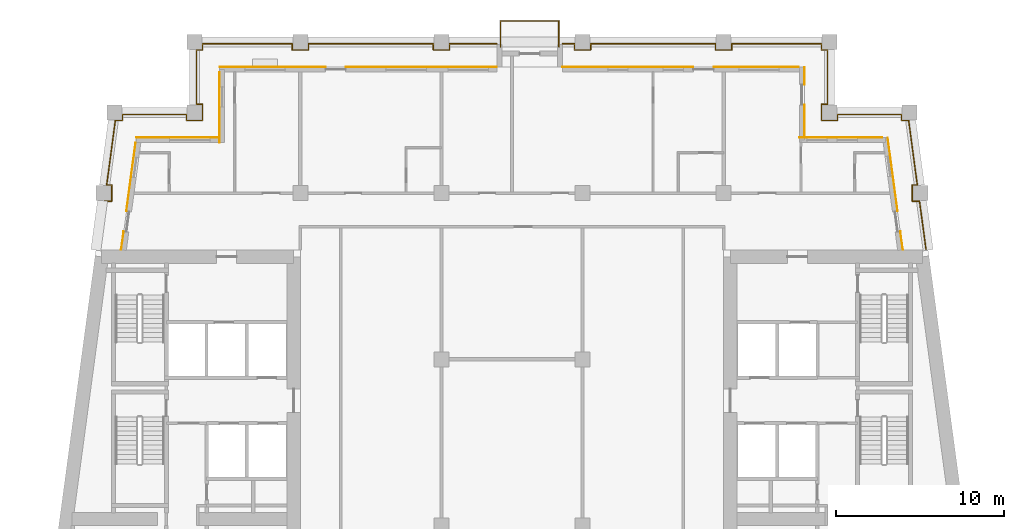
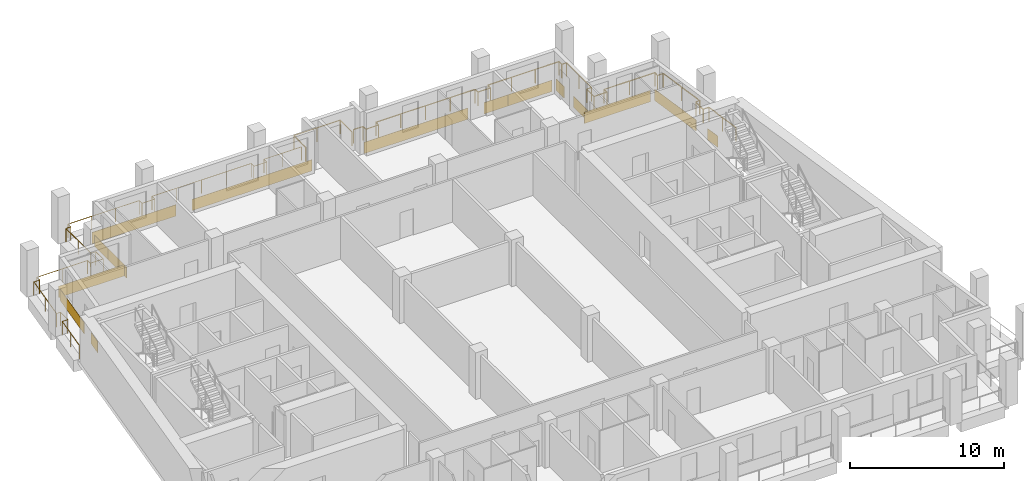
# One storey, part 11 of 12: 15 coverings, 3 railings.
"""IFC4 building model written with IfcOpenShell, lengths in metres."""

from ifc_helpers import new_model, si_unit, direction, frame, origin, origin_2d, place, context, subcontext, project, spatial, rectangle, circle, extrude, material, layer, layer_set, type_object, element, save


model = new_model("IFC4")

# Units and contexts
model_context = context("Model", 3, precision=1e-05, world=origin(), true_north=direction((0.0, 1.0)))
body_context = subcontext(model_context, "Body", "Model", "MODEL_VIEW")
ifc_project = project(units=[si_unit("LENGTHUNIT", "METRE"), si_unit("AREAUNIT", "SQUARE_METRE"), si_unit("VOLUMEUNIT", "CUBIC_METRE"), si_unit("PLANEANGLEUNIT", "RADIAN"), si_unit("MASSUNIT", "GRAM", prefix="KILO")], contexts=[model_context])

# Site, building, storey
site_placement = place(None, origin())
site = spatial("IfcSite", under=ifc_project, at=site_placement, CompositionType="ELEMENT")
building_placement = place(site_placement, origin())
building = spatial("IfcBuilding", under=site, at=building_placement, Name="Candeia Pilgrim Tower and Theatre", CompositionType="ELEMENT")
storey_placement = place(building_placement, frame((0.0, 0.0, 235.5)))
storey = spatial("IfcBuildingStorey", under=building, at=storey_placement, Name="L57", CompositionType="ELEMENT", Elevation=235.5)

# Railings
ifc_material_1 = material(Name="Stainless steel balustrade", Category="steel")
railing_type = type_object("IfcRailingType", Name="G1 loggia guard 1100", PredefinedType="GUARDRAIL", material=ifc_material_1)
railing_1_placement = place(storey_placement, frame((88.758544921875, 132.449951171875, 0.0)))
element("IfcRailing", 1, at=railing_1_placement, inside=storey, type_object=railing_type, Name="Guard L57.2", PredefinedType="GUARDRAIL", context=body_context, shape_type="SweptSolid", body=[
    extrude(circle(Radius=0.02392578125, at=origin_2d()), frame((0.0, 0.0, 1.076171875), z_axis=(0.133450228179, 0.991055516406, 0.0), x_axis=(-0.991055516406, 0.133450228179, 0.0)), (0.0, 0.0, 1.0), 2.89599609375),
    extrude(circle(Radius=0.02392578125, at=origin_2d()), frame((0.386474609375, 2.8701171875, 1.076171875), z_axis=(1.0, 0.0, 0.0), x_axis=(0.0, 1.0, 0.0)), (0.0, 0.0, 1.0), 0.42333984375),
    extrude(circle(Radius=0.02392578125, at=origin_2d()), frame((0.809814453125, 2.8701171875, 1.076171875), z_axis=(0.0, 1.0, 0.0), x_axis=(-1.0, 0.0, 0.0)), (0.0, 0.0, 1.0), 0.9599609375),
    extrude(circle(Radius=0.02392578125, at=origin_2d()), frame((0.809814453125, 3.830078125, 1.076171875), z_axis=(-1.0, 0.0, 0.0), x_axis=(0.0, -1.0, 0.0)), (0.0, 0.0, 1.0), 0.294189453125),
    extrude(circle(Radius=0.02392578125, at=origin_2d()), frame((0.515625, 3.830078125, 1.076171875), z_axis=(0.133389399471, 0.991063705374, 0.0), x_axis=(-0.991063705374, 0.133389399471, 0.0)), (0.0, 0.0, 1.0), 3.874755859375),
    extrude(circle(Radius=0.02392578125, at=origin_2d()), frame((1.032470703125, 7.670166015625, 1.076171875), z_axis=(1.0, 0.0, 0.0), x_axis=(0.0, 1.0, 0.0)), (0.0, 0.0, 1.0), 0.423583984375),
    extrude(circle(Radius=0.02392578125, at=origin_2d()), frame((1.4560546875, 7.670166015625, 1.076171875), z_axis=(0.0, 1.0, 0.0), x_axis=(-1.0, 0.0, 0.0)), (0.0, 0.0, 1.0), 0.35986328125),
    extrude(circle(Radius=0.02392578125, at=origin_2d()), frame((1.4560546875, 8.030029296875, 1.076171875), z_axis=(1.0, 0.0, 0.0), x_axis=(0.0, 1.0, 0.0)), (0.0, 0.0, 1.0), 3.805419921875),
    extrude(circle(Radius=0.02392578125, at=origin_2d()), frame((5.261474609375, 8.030029296875, 1.076171875), z_axis=(0.0, -1.0, 0.0), x_axis=(1.0, 0.0, 0.0)), (0.0, 0.0, 1.0), 0.35986328125),
    extrude(circle(Radius=0.02392578125, at=origin_2d()), frame((5.261474609375, 7.670166015625, 1.076171875), z_axis=(1.0, 0.0, 0.0), x_axis=(0.0, 1.0, 0.0)), (0.0, 0.0, 1.0), 0.9599609375),
    extrude(circle(Radius=0.02392578125, at=origin_2d()), frame((6.221435546875, 7.670166015625, 1.076171875), z_axis=(0.0, 1.0, 0.0), x_axis=(-1.0, 0.0, 0.0)), (0.0, 0.0, 1.0), 0.9599609375),
    extrude(circle(Radius=0.02392578125, at=origin_2d()), frame((6.221435546875, 8.630126953125, 1.076171875), z_axis=(-1.0, 0.0, 0.0), x_axis=(0.0, -1.0, 0.0)), (0.0, 0.0, 1.0), 0.35986328125),
    extrude(circle(Radius=0.02392578125, at=origin_2d()), frame((5.861572265625, 8.630126953125, 1.076171875), z_axis=(0.0, 1.0, 0.0), x_axis=(-1.0, 0.0, 0.0)), (0.0, 0.0, 1.0), 3.239990234375),
    extrude(circle(Radius=0.02392578125, at=origin_2d()), frame((5.861572265625, 11.8701171875, 1.076171875), z_axis=(1.0, 0.0, 0.0), x_axis=(0.0, 1.0, 0.0)), (0.0, 0.0, 1.0), 0.35986328125),
    extrude(circle(Radius=0.02392578125, at=origin_2d()), frame((6.221435546875, 11.8701171875, 1.076171875), z_axis=(0.0, 1.0, 0.0), x_axis=(-1.0, 0.0, 0.0)), (0.0, 0.0, 1.0), 0.35986328125),
    extrude(circle(Radius=0.02392578125, at=origin_2d()), frame((6.221435546875, 12.22998046875, 1.076171875), z_axis=(1.0, 0.0, 0.0), x_axis=(0.0, 1.0, 0.0)), (0.0, 0.0, 1.0), 5.340087890625),
    extrude(circle(Radius=0.02392578125, at=origin_2d()), frame((11.5615234375, 12.22998046875, 1.076171875), z_axis=(0.0, -1.0, 0.0), x_axis=(1.0, 0.0, 0.0)), (0.0, 0.0, 1.0), 0.35986328125),
    extrude(circle(Radius=0.02392578125, at=origin_2d()), frame((11.5615234375, 11.8701171875, 1.076171875), z_axis=(1.0, 0.0, 0.0), x_axis=(0.0, 1.0, 0.0)), (0.0, 0.0, 1.0), 0.9599609375),
    extrude(circle(Radius=0.02392578125, at=origin_2d()), frame((12.521484375, 11.8701171875, 1.076171875), z_axis=(0.0, 1.0, 0.0), x_axis=(-1.0, 0.0, 0.0)), (0.0, 0.0, 1.0), 0.35986328125),
    extrude(circle(Radius=0.02392578125, at=origin_2d()), frame((12.521484375, 12.22998046875, 1.076171875), z_axis=(1.0, 0.0, 0.0), x_axis=(0.0, 1.0, 0.0)), (0.0, 0.0, 1.0), 7.43994140625),
    extrude(circle(Radius=0.02392578125, at=origin_2d()), frame((19.96142578125, 12.22998046875, 1.076171875), z_axis=(0.0, -1.0, 0.0), x_axis=(1.0, 0.0, 0.0)), (0.0, 0.0, 1.0), 0.35986328125),
    extrude(circle(Radius=0.02392578125, at=origin_2d()), frame((19.96142578125, 11.8701171875, 1.076171875), z_axis=(1.0, 0.0, 0.0), x_axis=(0.0, 1.0, 0.0)), (0.0, 0.0, 1.0), 0.9599609375),
    extrude(circle(Radius=0.02392578125, at=origin_2d()), frame((20.92138671875, 11.8701171875, 1.076171875), z_axis=(0.0, 1.0, 0.0), x_axis=(-1.0, 0.0, 0.0)), (0.0, 0.0, 1.0), 0.35986328125),
    extrude(circle(Radius=0.02392578125, at=origin_2d()), frame((20.92138671875, 12.22998046875, 1.076171875), z_axis=(1.0, 0.0, 0.0), x_axis=(0.0, 1.0, 0.0)), (0.0, 0.0, 1.0), 2.820068359375),
    extrude(circle(Radius=0.02099609375, at=origin_2d()), origin(), (0.0, 0.0, 1.0), 1.052001953125),
    extrude(circle(Radius=0.02099609375, at=origin_2d()), frame((0.193359375, 1.43505859375, 0.0)), (0.0, 0.0, 1.0), 1.052001953125),
    extrude(circle(Radius=0.02099609375, at=origin_2d()), frame((0.386474609375, 2.8701171875, 0.0)), (0.0, 0.0, 1.0), 1.052001953125),
    extrude(circle(Radius=0.02099609375, at=origin_2d()), frame((0.809814453125, 2.8701171875, 0.0)), (0.0, 0.0, 1.0), 1.052001953125),
    extrude(circle(Radius=0.02099609375, at=origin_2d()), frame((0.809814453125, 3.830078125, 0.0)), (0.0, 0.0, 1.0), 1.052001953125),
    extrude(circle(Radius=0.02099609375, at=origin_2d()), frame((0.515625, 3.830078125, 0.0)), (0.0, 0.0, 1.0), 1.052001953125),
    extrude(circle(Radius=0.02099609375, at=origin_2d()), frame((0.77392578125, 5.75, 0.0)), (0.0, 0.0, 1.0), 1.052001953125),
    extrude(circle(Radius=0.02099609375, at=origin_2d()), frame((1.032470703125, 7.670166015625, 0.0)), (0.0, 0.0, 1.0), 1.052001953125),
    extrude(circle(Radius=0.02099609375, at=origin_2d()), frame((1.4560546875, 7.670166015625, 0.0)), (0.0, 0.0, 1.0), 1.052001953125),
    extrude(circle(Radius=0.02099609375, at=origin_2d()), frame((1.4560546875, 8.030029296875, 0.0)), (0.0, 0.0, 1.0), 1.052001953125),
    extrude(circle(Radius=0.02099609375, at=origin_2d()), frame((3.35888671875, 8.030029296875, 0.0)), (0.0, 0.0, 1.0), 1.052001953125),
    extrude(circle(Radius=0.02099609375, at=origin_2d()), frame((5.261474609375, 8.030029296875, 0.0)), (0.0, 0.0, 1.0), 1.052001953125),
    extrude(circle(Radius=0.02099609375, at=origin_2d()), frame((5.261474609375, 7.670166015625, 0.0)), (0.0, 0.0, 1.0), 1.052001953125),
    extrude(circle(Radius=0.02099609375, at=origin_2d()), frame((6.221435546875, 7.670166015625, 0.0)), (0.0, 0.0, 1.0), 1.052001953125),
    extrude(circle(Radius=0.02099609375, at=origin_2d()), frame((6.221435546875, 8.630126953125, 0.0)), (0.0, 0.0, 1.0), 1.052001953125),
    extrude(circle(Radius=0.02099609375, at=origin_2d()), frame((5.861572265625, 8.630126953125, 0.0)), (0.0, 0.0, 1.0), 1.052001953125),
    extrude(circle(Radius=0.02099609375, at=origin_2d()), frame((5.861572265625, 10.25, 0.0)), (0.0, 0.0, 1.0), 1.052001953125),
    extrude(circle(Radius=0.02099609375, at=origin_2d()), frame((5.861572265625, 11.8701171875, 0.0)), (0.0, 0.0, 1.0), 1.052001953125),
    extrude(circle(Radius=0.02099609375, at=origin_2d()), frame((6.221435546875, 11.8701171875, 0.0)), (0.0, 0.0, 1.0), 1.052001953125),
    extrude(circle(Radius=0.02099609375, at=origin_2d()), frame((6.221435546875, 12.22998046875, 0.0)), (0.0, 0.0, 1.0), 1.052001953125),
    extrude(circle(Radius=0.02099609375, at=origin_2d()), frame((8.00146484375, 12.22998046875, 0.0)), (0.0, 0.0, 1.0), 1.052001953125),
    extrude(circle(Radius=0.02099609375, at=origin_2d()), frame((9.781494140625, 12.22998046875, 0.0)), (0.0, 0.0, 1.0), 1.052001953125),
    extrude(circle(Radius=0.02099609375, at=origin_2d()), frame((11.5615234375, 12.22998046875, 0.0)), (0.0, 0.0, 1.0), 1.052001953125),
    extrude(circle(Radius=0.02099609375, at=origin_2d()), frame((11.5615234375, 11.8701171875, 0.0)), (0.0, 0.0, 1.0), 1.052001953125),
    extrude(circle(Radius=0.02099609375, at=origin_2d()), frame((12.521484375, 11.8701171875, 0.0)), (0.0, 0.0, 1.0), 1.052001953125),
    extrude(circle(Radius=0.02099609375, at=origin_2d()), frame((12.521484375, 12.22998046875, 0.0)), (0.0, 0.0, 1.0), 1.052001953125),
    extrude(circle(Radius=0.02099609375, at=origin_2d()), frame((14.38134765625, 12.22998046875, 0.0)), (0.0, 0.0, 1.0), 1.052001953125),
    extrude(circle(Radius=0.02099609375, at=origin_2d()), frame((16.241455078125, 12.22998046875, 0.0)), (0.0, 0.0, 1.0), 1.052001953125),
    extrude(circle(Radius=0.02099609375, at=origin_2d()), frame((18.1015625, 12.22998046875, 0.0)), (0.0, 0.0, 1.0), 1.052001953125),
    extrude(circle(Radius=0.02099609375, at=origin_2d()), frame((19.96142578125, 12.22998046875, 0.0)), (0.0, 0.0, 1.0), 1.052001953125),
    extrude(circle(Radius=0.02099609375, at=origin_2d()), frame((19.96142578125, 11.8701171875, 0.0)), (0.0, 0.0, 1.0), 1.052001953125),
    extrude(circle(Radius=0.02099609375, at=origin_2d()), frame((20.92138671875, 11.8701171875, 0.0)), (0.0, 0.0, 1.0), 1.052001953125),
    extrude(circle(Radius=0.02099609375, at=origin_2d()), frame((20.92138671875, 12.22998046875, 0.0)), (0.0, 0.0, 1.0), 1.052001953125),
    extrude(circle(Radius=0.02099609375, at=origin_2d()), frame((22.33154296875, 12.22998046875, 0.0)), (0.0, 0.0, 1.0), 1.052001953125),
    extrude(circle(Radius=0.02099609375, at=origin_2d()), frame((23.741455078125, 12.22998046875, 0.0)), (0.0, 0.0, 1.0), 1.052001953125),
])
railing_2_placement = place(storey_placement, frame((116.39990234375, 144.679931640625, 0.0)))
element("IfcRailing", 2, at=railing_2_placement, inside=storey, type_object=railing_type, Name="Guard L57.3", PredefinedType="GUARDRAIL", context=body_context, shape_type="SweptSolid", body=[
    extrude(circle(Radius=0.02392578125, at=origin_2d()), frame((0.0, 0.0, 1.076171875), z_axis=(1.0, 0.0, 0.0), x_axis=(0.0, 1.0, 0.0)), (0.0, 0.0, 1.0), 0.72021484375),
    extrude(circle(Radius=0.02392578125, at=origin_2d()), frame((0.72021484375, 0.0, 1.076171875), z_axis=(0.0, -1.0, 0.0), x_axis=(1.0, 0.0, 0.0)), (0.0, 0.0, 1.0), 0.35986328125),
    extrude(circle(Radius=0.02392578125, at=origin_2d()), frame((0.72021484375, -0.35986328125, 1.076171875), z_axis=(1.0, 0.0, 0.0), x_axis=(0.0, 1.0, 0.0)), (0.0, 0.0, 1.0), 0.9599609375),
    extrude(circle(Radius=0.02392578125, at=origin_2d()), frame((1.68017578125, -0.35986328125, 1.076171875), z_axis=(0.0, 1.0, 0.0), x_axis=(-1.0, 0.0, 0.0)), (0.0, 0.0, 1.0), 0.35986328125),
    extrude(circle(Radius=0.02392578125, at=origin_2d()), frame((1.68017578125, 0.0, 1.076171875), z_axis=(1.0, 0.0, 0.0), x_axis=(0.0, 1.0, 0.0)), (0.0, 0.0, 1.0), 7.43994140625),
    extrude(circle(Radius=0.02392578125, at=origin_2d()), frame((9.1201171875, 0.0, 1.076171875), z_axis=(0.0, -1.0, 0.0), x_axis=(1.0, 0.0, 0.0)), (0.0, 0.0, 1.0), 0.35986328125),
    extrude(circle(Radius=0.02392578125, at=origin_2d()), frame((9.1201171875, -0.35986328125, 1.076171875), z_axis=(1.0, 0.0, 0.0), x_axis=(0.0, 1.0, 0.0)), (0.0, 0.0, 1.0), 0.9599609375),
    extrude(circle(Radius=0.02392578125, at=origin_2d()), frame((10.080078125, -0.35986328125, 1.076171875), z_axis=(0.0, 1.0, 0.0), x_axis=(-1.0, 0.0, 0.0)), (0.0, 0.0, 1.0), 0.35986328125),
    extrude(circle(Radius=0.02392578125, at=origin_2d()), frame((10.080078125, 0.0, 1.076171875), z_axis=(1.0, 0.0, 0.0), x_axis=(0.0, 1.0, 0.0)), (0.0, 0.0, 1.0), 5.340087890625),
    extrude(circle(Radius=0.02392578125, at=origin_2d()), frame((15.420166015625, 0.0, 1.076171875), z_axis=(0.0, -1.0, 0.0), x_axis=(1.0, 0.0, 0.0)), (0.0, 0.0, 1.0), 0.35986328125),
    extrude(circle(Radius=0.02392578125, at=origin_2d()), frame((15.420166015625, -0.35986328125, 1.076171875), z_axis=(1.0, 0.0, 0.0), x_axis=(0.0, 1.0, 0.0)), (0.0, 0.0, 1.0), 0.35986328125),
    extrude(circle(Radius=0.02392578125, at=origin_2d()), frame((15.780029296875, -0.35986328125, 1.076171875), z_axis=(0.0, -1.0, 0.0), x_axis=(1.0, 0.0, 0.0)), (0.0, 0.0, 1.0), 3.239990234375),
    extrude(circle(Radius=0.02392578125, at=origin_2d()), frame((15.780029296875, -3.599853515625, 1.076171875), z_axis=(-1.0, 0.0, 0.0), x_axis=(0.0, -1.0, 0.0)), (0.0, 0.0, 1.0), 0.35986328125),
    extrude(circle(Radius=0.02392578125, at=origin_2d()), frame((15.420166015625, -3.599853515625, 1.076171875), z_axis=(0.0, -1.0, 0.0), x_axis=(1.0, 0.0, 0.0)), (0.0, 0.0, 1.0), 0.9599609375),
    extrude(circle(Radius=0.02392578125, at=origin_2d()), frame((15.420166015625, -4.559814453125, 1.076171875), z_axis=(1.0, 0.0, 0.0), x_axis=(0.0, 1.0, 0.0)), (0.0, 0.0, 1.0), 0.9599609375),
    extrude(circle(Radius=0.02392578125, at=origin_2d()), frame((16.380126953125, -4.559814453125, 1.076171875), z_axis=(0.0, 1.0, 0.0), x_axis=(-1.0, 0.0, 0.0)), (0.0, 0.0, 1.0), 0.35986328125),
    extrude(circle(Radius=0.02392578125, at=origin_2d()), frame((16.380126953125, -4.199951171875, 1.076171875), z_axis=(1.0, 0.0, 0.0), x_axis=(0.0, 1.0, 0.0)), (0.0, 0.0, 1.0), 3.805419921875),
    extrude(circle(Radius=0.02392578125, at=origin_2d()), frame((20.185546875, -4.199951171875, 1.076171875), z_axis=(0.0, -1.0, 0.0), x_axis=(1.0, 0.0, 0.0)), (0.0, 0.0, 1.0), 0.35986328125),
    extrude(circle(Radius=0.02392578125, at=origin_2d()), frame((20.185546875, -4.559814453125, 1.076171875), z_axis=(1.0, 0.0, 0.0), x_axis=(0.0, 1.0, 0.0)), (0.0, 0.0, 1.0), 0.423583984375),
    extrude(circle(Radius=0.02392578125, at=origin_2d()), frame((20.609130859375, -4.559814453125, 1.076171875), z_axis=(0.133389399471, -0.991063705374, 0.0), x_axis=(0.991063705374, 0.133389399471, 0.0)), (0.0, 0.0, 1.0), 3.874755859375),
    extrude(circle(Radius=0.02392578125, at=origin_2d()), frame((21.1259765625, -8.39990234375, 1.076171875), z_axis=(-1.0, 0.0, 0.0), x_axis=(0.0, -1.0, 0.0)), (0.0, 0.0, 1.0), 0.29443359375),
    extrude(circle(Radius=0.02392578125, at=origin_2d()), frame((20.83154296875, -8.39990234375, 1.076171875), z_axis=(0.0, -1.0, 0.0), x_axis=(1.0, 0.0, 0.0)), (0.0, 0.0, 1.0), 0.9599609375),
    extrude(circle(Radius=0.02392578125, at=origin_2d()), frame((20.83154296875, -9.35986328125, 1.076171875), z_axis=(1.0, 0.0, 0.0), x_axis=(0.0, 1.0, 0.0)), (0.0, 0.0, 1.0), 0.423583984375),
    extrude(circle(Radius=0.02392578125, at=origin_2d()), frame((21.255126953125, -9.35986328125, 1.076171875), z_axis=(0.133450228179, -0.991055516406, 0.0), x_axis=(0.991055516406, 0.133450228179, 0.0)), (0.0, 0.0, 1.0), 2.89599609375),
    extrude(circle(Radius=0.02099609375, at=origin_2d()), origin(), (0.0, 0.0, 1.0), 1.052001953125),
    extrude(circle(Radius=0.02099609375, at=origin_2d()), frame((0.72021484375, 0.0, 0.0)), (0.0, 0.0, 1.0), 1.052001953125),
    extrude(circle(Radius=0.02099609375, at=origin_2d()), frame((0.72021484375, -0.35986328125, 0.0)), (0.0, 0.0, 1.0), 1.052001953125),
    extrude(circle(Radius=0.02099609375, at=origin_2d()), frame((1.68017578125, -0.35986328125, 0.0)), (0.0, 0.0, 1.0), 1.052001953125),
    extrude(circle(Radius=0.02099609375, at=origin_2d()), frame((1.68017578125, 0.0, 0.0)), (0.0, 0.0, 1.0), 1.052001953125),
    extrude(circle(Radius=0.02099609375, at=origin_2d()), frame((3.5400390625, 0.0, 0.0)), (0.0, 0.0, 1.0), 1.052001953125),
    extrude(circle(Radius=0.02099609375, at=origin_2d()), frame((5.400146484375, 0.0, 0.0)), (0.0, 0.0, 1.0), 1.052001953125),
    extrude(circle(Radius=0.02099609375, at=origin_2d()), frame((7.26025390625, 0.0, 0.0)), (0.0, 0.0, 1.0), 1.052001953125),
    extrude(circle(Radius=0.02099609375, at=origin_2d()), frame((9.1201171875, 0.0, 0.0)), (0.0, 0.0, 1.0), 1.052001953125),
    extrude(circle(Radius=0.02099609375, at=origin_2d()), frame((9.1201171875, -0.35986328125, 0.0)), (0.0, 0.0, 1.0), 1.052001953125),
    extrude(circle(Radius=0.02099609375, at=origin_2d()), frame((10.080078125, -0.35986328125, 0.0)), (0.0, 0.0, 1.0), 1.052001953125),
    extrude(circle(Radius=0.02099609375, at=origin_2d()), frame((10.080078125, 0.0, 0.0)), (0.0, 0.0, 1.0), 1.052001953125),
    extrude(circle(Radius=0.02099609375, at=origin_2d()), frame((11.860107421875, 0.0, 0.0)), (0.0, 0.0, 1.0), 1.052001953125),
    extrude(circle(Radius=0.02099609375, at=origin_2d()), frame((13.64013671875, 0.0, 0.0)), (0.0, 0.0, 1.0), 1.052001953125),
    extrude(circle(Radius=0.02099609375, at=origin_2d()), frame((15.420166015625, 0.0, 0.0)), (0.0, 0.0, 1.0), 1.052001953125),
    extrude(circle(Radius=0.02099609375, at=origin_2d()), frame((15.420166015625, -0.35986328125, 0.0)), (0.0, 0.0, 1.0), 1.052001953125),
    extrude(circle(Radius=0.02099609375, at=origin_2d()), frame((15.780029296875, -0.35986328125, 0.0)), (0.0, 0.0, 1.0), 1.052001953125),
    extrude(circle(Radius=0.02099609375, at=origin_2d()), frame((15.780029296875, -1.97998046875, 0.0)), (0.0, 0.0, 1.0), 1.052001953125),
    extrude(circle(Radius=0.02099609375, at=origin_2d()), frame((15.780029296875, -3.599853515625, 0.0)), (0.0, 0.0, 1.0), 1.052001953125),
    extrude(circle(Radius=0.02099609375, at=origin_2d()), frame((15.420166015625, -3.599853515625, 0.0)), (0.0, 0.0, 1.0), 1.052001953125),
    extrude(circle(Radius=0.02099609375, at=origin_2d()), frame((15.420166015625, -4.559814453125, 0.0)), (0.0, 0.0, 1.0), 1.052001953125),
    extrude(circle(Radius=0.02099609375, at=origin_2d()), frame((16.380126953125, -4.559814453125, 0.0)), (0.0, 0.0, 1.0), 1.052001953125),
    extrude(circle(Radius=0.02099609375, at=origin_2d()), frame((16.380126953125, -4.199951171875, 0.0)), (0.0, 0.0, 1.0), 1.052001953125),
    extrude(circle(Radius=0.02099609375, at=origin_2d()), frame((18.28271484375, -4.199951171875, 0.0)), (0.0, 0.0, 1.0), 1.052001953125),
    extrude(circle(Radius=0.02099609375, at=origin_2d()), frame((20.185546875, -4.199951171875, 0.0)), (0.0, 0.0, 1.0), 1.052001953125),
    extrude(circle(Radius=0.02099609375, at=origin_2d()), frame((20.185546875, -4.559814453125, 0.0)), (0.0, 0.0, 1.0), 1.052001953125),
    extrude(circle(Radius=0.02099609375, at=origin_2d()), frame((20.609130859375, -4.559814453125, 0.0)), (0.0, 0.0, 1.0), 1.052001953125),
    extrude(circle(Radius=0.02099609375, at=origin_2d()), frame((20.86767578125, -6.47998046875, 0.0)), (0.0, 0.0, 1.0), 1.052001953125),
    extrude(circle(Radius=0.02099609375, at=origin_2d()), frame((21.1259765625, -8.39990234375, 0.0)), (0.0, 0.0, 1.0), 1.052001953125),
    extrude(circle(Radius=0.02099609375, at=origin_2d()), frame((20.83154296875, -8.39990234375, 0.0)), (0.0, 0.0, 1.0), 1.052001953125),
    extrude(circle(Radius=0.02099609375, at=origin_2d()), frame((20.83154296875, -9.35986328125, 0.0)), (0.0, 0.0, 1.0), 1.052001953125),
    extrude(circle(Radius=0.02099609375, at=origin_2d()), frame((21.255126953125, -9.35986328125, 0.0)), (0.0, 0.0, 1.0), 1.052001953125),
    extrude(circle(Radius=0.02099609375, at=origin_2d()), frame((21.4482421875, -10.794921875, 0.0)), (0.0, 0.0, 1.0), 1.052001953125),
    extrude(circle(Radius=0.02099609375, at=origin_2d()), frame((21.6416015625, -12.22998046875, 0.0)), (0.0, 0.0, 1.0), 1.052001953125),
])
railing_3_placement = place(storey_placement, frame((112.7099609375, 144.5, 0.0)))
element("IfcRailing", 3, at=railing_3_placement, inside=storey, type_object=railing_type, Name="Balcony guard L57", PredefinedType="GUARDRAIL", context=body_context, shape_type="SweptSolid", body=[
    extrude(circle(Radius=0.02392578125, at=origin_2d()), frame((0.0, 0.0, 1.076171875), z_axis=(0.0, 1.0, 0.0), x_axis=(-1.0, 0.0, 0.0)), (0.0, 0.0, 1.0), 1.5400390625),
    extrude(circle(Radius=0.02392578125, at=origin_2d()), frame((0.0, 1.5400390625, 1.076171875), z_axis=(1.0, 0.0, 0.0), x_axis=(0.0, 1.0, 0.0)), (0.0, 0.0, 1.0), 3.47998046875),
    extrude(circle(Radius=0.02392578125, at=origin_2d()), frame((3.47998046875, 1.5400390625, 1.076171875), z_axis=(0.0, -1.0, 0.0), x_axis=(1.0, 0.0, 0.0)), (0.0, 0.0, 1.0), 1.5400390625),
    extrude(circle(Radius=0.02099609375, at=origin_2d()), origin(), (0.0, 0.0, 1.0), 1.052001953125),
    extrude(circle(Radius=0.02099609375, at=origin_2d()), frame((0.0, 1.5400390625, 0.0)), (0.0, 0.0, 1.0), 1.052001953125),
    extrude(circle(Radius=0.02099609375, at=origin_2d()), frame((1.739990234375, 1.5400390625, 0.0)), (0.0, 0.0, 1.0), 1.052001953125),
    extrude(circle(Radius=0.02099609375, at=origin_2d()), frame((3.47998046875, 1.5400390625, 0.0)), (0.0, 0.0, 1.0), 1.052001953125),
    extrude(circle(Radius=0.02099609375, at=origin_2d()), frame((3.47998046875, 0.0, 0.0)), (0.0, 0.0, 1.0), 1.052001953125),
])

# Coverings
ifc_material_2 = material(Name="Glazed ceramic tile bottle green")
ifc_layer_1 = layer(ifc_material_2, 0.02001953125)
ifc_layer_set_1 = layer_set([ifc_layer_1], Name="Glazed ceramic tile bottle green")
covering_type_1 = type_object("IfcCoveringType", Name="Glazed ceramic tile bottle green", PredefinedType="CLADDING", material=ifc_layer_set_1)
covering_1_placement = place(storey_placement, frame((136.588623046875, 132.97412109375, 0.0), z_axis=(0.0, 0.0, 1.0), x_axis=(-0.133412012145, 0.991060661622, 0.0)))
element("IfcCovering", 4, at=covering_1_placement, inside=storey, type_object=covering_type_1, Name="Tile cladding bottle green L57", PredefinedType="CLADDING", context=body_context, shape_type="SweptSolid", body=[
    extrude(rectangle(XDim=1.115234375, YDim=0.02001953125, at=origin_2d()), origin(), (0.0, 0.0, 1.0), 0.89990234375),
])
covering_2_placement = place(storey_placement, frame((136.058837890625, 136.90869140625, 0.0), z_axis=(0.0, 0.0, 1.0), x_axis=(-0.133412012145, 0.991060661622, 0.0)))
element("IfcCovering", 5, at=covering_2_placement, inside=storey, type_object=covering_type_1, Name="Tile cladding bottle green L57", PredefinedType="CLADDING", context=body_context, shape_type="SweptSolid", body=[
    extrude(rectangle(XDim=4.4248046875, YDim=0.02001953125, at=origin_2d()), origin(), (0.0, 0.0, 1.0), 0.89990234375),
])
covering_3_placement = place(storey_placement, frame((130.81005859375, 140.0849609375, 0.0), z_axis=(0.0, 0.0, 1.0), x_axis=(0.0, 1.0, 0.0)))
element("IfcCovering", 6, at=covering_3_placement, inside=storey, type_object=covering_type_1, Name="Tile cladding bottle green L57", PredefinedType="CLADDING", context=body_context, shape_type="SweptSolid", body=[
    extrude(rectangle(XDim=1.929931640625, YDim=0.02001953125, at=origin_2d()), origin(), (0.0, 0.0, 1.0), 0.89990234375),
])
covering_4_placement = place(storey_placement, frame((126.300048828125, 143.31005859375, 0.0), z_axis=(0.0, 0.0, 1.0), x_axis=(-1.0, 0.0, 0.0)))
element("IfcCovering", 7, at=covering_4_placement, inside=storey, type_object=covering_type_1, Name="Tile cladding bottle green L57", PredefinedType="CLADDING", context=body_context, shape_type="SweptSolid", body=[
    extrude(rectangle(XDim=1.800048828125, YDim=0.02001953125, at=origin_2d()), origin(), (0.0, 0.0, 1.0), 0.89990234375),
])
covering_5_placement = place(storey_placement, frame((120.300048828125, 143.31005859375, 0.0), z_axis=(0.0, 0.0, 1.0), x_axis=(-1.0, 0.0, 0.0)))
element("IfcCovering", 8, at=covering_5_placement, inside=storey, type_object=covering_type_1, Name="Tile cladding bottle green L57", PredefinedType="CLADDING", context=body_context, shape_type="SweptSolid", body=[
    extrude(rectangle(XDim=7.800048828125, YDim=0.02001953125, at=origin_2d()), origin(), (0.0, 0.0, 1.0), 0.89990234375),
])
covering_6_placement = place(storey_placement, frame((108.0, 143.31005859375, 0.0), z_axis=(0.0, 0.0, 1.0), x_axis=(-1.0, 0.0, 0.0)))
element("IfcCovering", 9, at=covering_6_placement, inside=storey, type_object=covering_type_1, Name="Tile cladding bottle green L57", PredefinedType="CLADDING", context=body_context, shape_type="SweptSolid", body=[
    extrude(rectangle(XDim=9.0, YDim=0.02001953125, at=origin_2d()), origin(), (0.0, 0.0, 1.0), 0.89990234375),
])
covering_7_placement = place(storey_placement, frame((99.14990234375, 143.31005859375, 0.0), z_axis=(0.0, 0.0, 1.0), x_axis=(-1.0, 0.0, 0.0)))
element("IfcCovering", 10, at=covering_7_placement, inside=storey, type_object=covering_type_1, Name="Tile cladding bottle green L57", PredefinedType="CLADDING", context=body_context, shape_type="SweptSolid", body=[
    extrude(rectangle(XDim=6.300048828125, YDim=0.02001953125, at=origin_2d()), origin(), (0.0, 0.0, 1.0), 0.89990234375),
])
covering_8_placement = place(storey_placement, frame((95.989990234375, 140.0, 0.0), z_axis=(0.0, 0.0, 1.0), x_axis=(0.0, -1.0, 0.0)))
element("IfcCovering", 11, at=covering_8_placement, inside=storey, type_object=covering_type_1, Name="Tile cladding bottle green L57", PredefinedType="CLADDING", context=body_context, shape_type="SweptSolid", body=[
    extrude(rectangle(XDim=2.39990234375, YDim=0.02001953125, at=origin_2d()), origin(), (0.0, 0.0, 1.0), 0.89990234375),
])
covering_9_placement = place(storey_placement, frame((93.51318359375, 139.110107421875, 0.0), z_axis=(0.0, 0.0, 1.0), x_axis=(-1.0, 0.0, 0.0)))
element("IfcCovering", 12, at=covering_9_placement, inside=storey, type_object=covering_type_1, Name="Tile cladding bottle green L57", PredefinedType="CLADDING", context=body_context, shape_type="SweptSolid", body=[
    extrude(rectangle(XDim=4.933837890625, YDim=0.02001953125, at=origin_2d()), origin(), (0.0, 0.0, 1.0), 0.89990234375),
])
covering_10_placement = place(storey_placement, frame((90.720947265625, 136.759521484375, 0.0), z_axis=(0.0, 0.0, 1.0), x_axis=(-0.133412012145, -0.991060661622, 0.0)))
element("IfcCovering", 13, at=covering_10_placement, inside=storey, type_object=covering_type_1, Name="Tile cladding bottle green L57", PredefinedType="CLADDING", context=body_context, shape_type="SweptSolid", body=[
    extrude(rectangle(XDim=4.123779296875, YDim=0.02001953125, at=origin_2d()), origin(), (0.0, 0.0, 1.0), 0.89990234375),
])
covering_11_placement = place(storey_placement, frame((90.21142578125, 132.97412109375, 0.0), z_axis=(0.0, 0.0, 1.0), x_axis=(-0.133412012145, -0.991060661622, 0.0)))
element("IfcCovering", 14, at=covering_11_placement, inside=storey, type_object=covering_type_1, Name="Tile cladding bottle green L57", PredefinedType="CLADDING", context=body_context, shape_type="SweptSolid", body=[
    extrude(rectangle(XDim=1.115234375, YDim=0.02001953125, at=origin_2d()), origin(), (0.0, 0.0, 1.0), 0.89990234375),
])
ifc_material_3 = material(Name="Glazed ceramic tile rust")
ifc_layer_2 = layer(ifc_material_3, 0.02001953125)
ifc_layer_set_2 = layer_set([ifc_layer_2], Name="Glazed ceramic tile rust")
covering_type_2 = type_object("IfcCoveringType", Name="Glazed ceramic tile rust", PredefinedType="CLADDING", material=ifc_layer_set_2)
covering_12_placement = place(storey_placement, frame((132.976318359375, 139.110107421875, 0.0), z_axis=(0.0, 0.0, 1.0), x_axis=(-1.0, 0.0, 0.0)))
element("IfcCovering", 15, at=covering_12_placement, inside=storey, type_object=covering_type_2, Name="Tile cladding rust L57", PredefinedType="CLADDING", context=body_context, shape_type="SweptSolid", body=[
    extrude(rectangle(XDim=4.95263671875, YDim=0.02001953125, at=origin_2d()), origin(), (0.0, 0.0, 1.0), 0.89990234375),
])
covering_13_placement = place(storey_placement, frame((130.81005859375, 142.77490234375, 0.0), z_axis=(0.0, 0.0, 1.0), x_axis=(0.0, 1.0, 0.0)))
element("IfcCovering", 16, at=covering_13_placement, inside=storey, type_object=covering_type_2, Name="Tile cladding rust L57", PredefinedType="CLADDING", context=body_context, shape_type="SweptSolid", body=[
    extrude(rectangle(XDim=1.050048828125, YDim=0.02001953125, at=origin_2d()), origin(), (0.0, 0.0, 1.0), 0.89990234375),
])
covering_14_placement = place(storey_placement, frame((128.840087890625, 143.31005859375, 0.0), z_axis=(0.0, 0.0, 1.0), x_axis=(-1.0, 0.0, 0.0)))
element("IfcCovering", 17, at=covering_14_placement, inside=storey, type_object=covering_type_2, Name="Tile cladding rust L57", PredefinedType="CLADDING", context=body_context, shape_type="SweptSolid", body=[
    extrude(rectangle(XDim=3.280029296875, YDim=0.02001953125, at=origin_2d()), origin(), (0.0, 0.0, 1.0), 0.89990234375),
])
covering_15_placement = place(storey_placement, frame((95.989990234375, 142.090087890625, 0.0), z_axis=(0.0, 0.0, 1.0), x_axis=(0.0, -1.0, 0.0)))
element("IfcCovering", 18, at=covering_15_placement, inside=storey, type_object=covering_type_2, Name="Tile cladding rust L57", PredefinedType="CLADDING", context=body_context, shape_type="SweptSolid", body=[
    extrude(rectangle(XDim=1.780029296875, YDim=0.02001953125, at=origin_2d()), origin(), (0.0, 0.0, 1.0), 0.89990234375),
])

save(model, "model.ifc")
